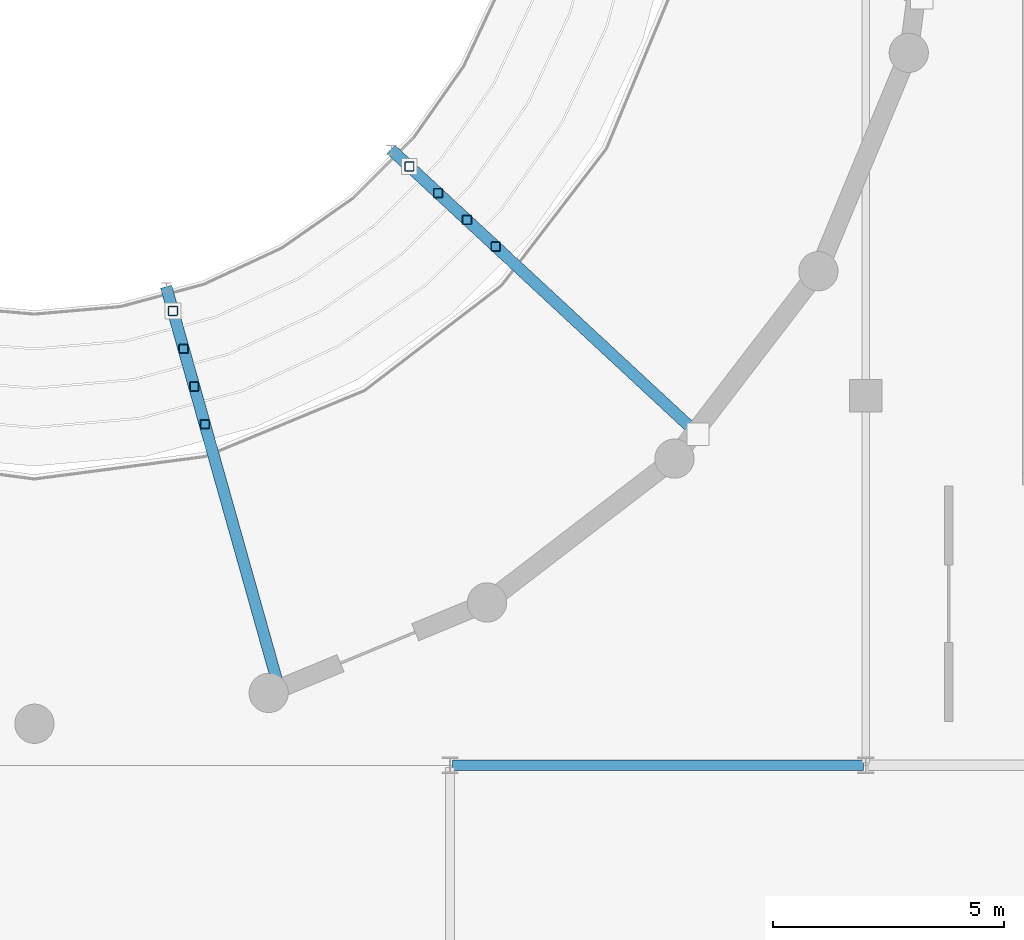
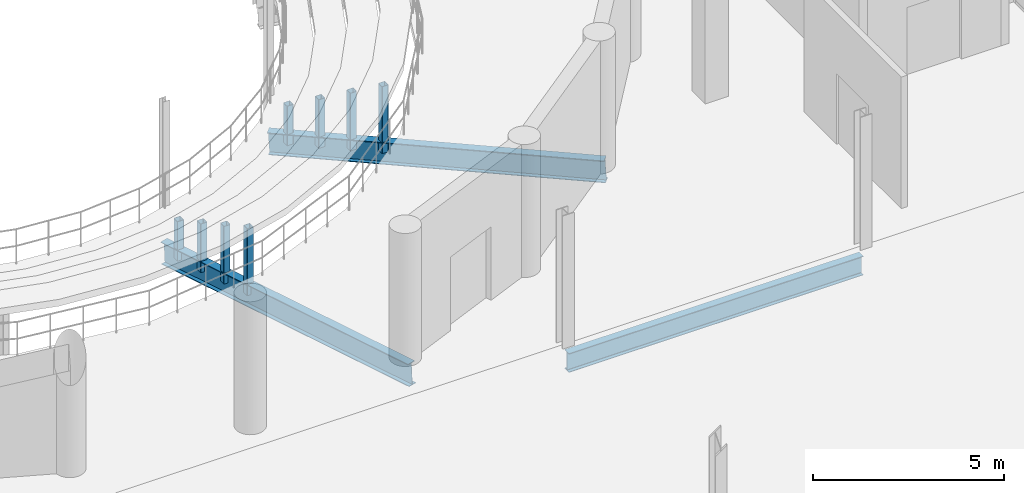
# One storey, part 28 of 73: 8 members, 3 beams.
"""IFC4 building model written with IfcOpenShell, lengths in metres."""

from ifc_helpers import new_model, si_unit, direction, frame, origin, origin_2d, place, context, subcontext, project, spatial, hollow_rectangle, i_section, extrude, material, material_profile, profile_set, type_object, element, save


model = new_model("IFC4")

# Units and contexts
model_context = context("Model", 3, precision=1e-05, world=origin(), true_north=direction((0.0, 1.0)))
body_context = subcontext(model_context, "Body", "Model", "MODEL_VIEW")
ifc_project = project(units=[si_unit("LENGTHUNIT", "METRE"), si_unit("AREAUNIT", "SQUARE_METRE"), si_unit("VOLUMEUNIT", "CUBIC_METRE"), si_unit("PLANEANGLEUNIT", "RADIAN"), si_unit("MASSUNIT", "GRAM", prefix="KILO")], contexts=[model_context])

# Site, building, storey
site_placement = place(None, origin())
site = spatial("IfcSite", under=ifc_project, at=site_placement, CompositionType="ELEMENT")
building_placement = place(site_placement, origin())
building = spatial("IfcBuilding", under=site, at=building_placement, Name="Marnock Terrace Opera House", CompositionType="ELEMENT")
storey_placement = place(building_placement, frame((0.0, 0.0, 14.699951171875)))
storey = spatial("IfcBuildingStorey", under=building, at=storey_placement, Name="L03", CompositionType="ELEMENT", Elevation=14.699951171875)

# Beams
ifc_material_1 = material(Name="Steel Grade 350 (AS/NZS 3679.1)", Category="steel")
ifc_material_profile_1 = material_profile(ifc_material_1, i_section(OverallWidth=0.22802734375, OverallDepth=0.60693359375, WebThickness=0.01123046875, FlangeThickness=0.017333984375, FilletRadius=0.013916015625, at=origin_2d()))
ifc_profile_set_1 = profile_set([ifc_material_profile_1], Name="Steel Grade 350 (AS/NZS 3679.1)")
beam_type_1 = type_object("IfcBeamType", Name="BM-GIRD-610B", PredefinedType="BEAM", material=ifc_profile_set_1)
beam_1_placement = place(storey_placement, frame((91.050048828125, 40.0, -0.5634765625), z_axis=(1.0, 0.0, 0.0), x_axis=(0.0, 1.0, 0.0)))
element("IfcBeam", 1, at=beam_1_placement, inside=storey, type_object=beam_type_1, Name="L03 girder (91.0..100.0, Y=40.0)", PredefinedType="BEAM", context=body_context, shape_type="SweptSolid", body=[
    extrude(i_section(OverallWidth=0.22802734375, OverallDepth=0.60693359375, WebThickness=0.01123046875, FlangeThickness=0.017333984375, FilletRadius=0.013916015625, at=origin_2d()), origin(), (0.0, 0.0, 1.0), 8.89990234375),
])
ifc_material_2 = material(Name="Steel Grade 350 Welded (AS/NZS 3679.2)", Category="steel")
ifc_material_profile_2 = material_profile(ifc_material_2, i_section(OverallWidth=0.25, OverallDepth=0.699951171875, WebThickness=0.011962890625, FlangeThickness=0.02001953125, at=origin_2d()))
ifc_profile_set_2 = profile_set([ifc_material_profile_2], Name="Steel Grade 350 Welded (AS/NZS 3679.2)")
beam_type_2 = type_object("IfcBeamType", Name="BM-RAKER-700", PredefinedType="BEAM", material=ifc_profile_set_2)
beam_2_placement = place(storey_placement, frame((84.857421875, 50.34423828125, -1.159912109375), z_axis=(0.270420407323, -0.961096752439, 0.056265760049), x_axis=(0.962621711454, 0.270849479668, 0.0)))
element("IfcBeam", 2, at=beam_2_placement, inside=storey, type_object=beam_type_2, Name="L03 Auditorium raker girder 5", PredefinedType="BEAM", context=body_context, shape_type="SweptSolid", body=[
    extrude(i_section(OverallWidth=0.25, OverallDepth=0.699951171875, WebThickness=0.011962890625, FlangeThickness=0.02001953125, at=origin_2d()), origin(), (0.0, 0.0, 1.0), 9.064208984375),
])
beam_3_placement = place(storey_placement, frame((89.733642578125, 53.32421875, -1.159912109375), z_axis=(0.73190120059, -0.679083865845, 0.056264871128), x_axis=(0.68016132476, 0.733062461391, 0.0)))
element("IfcBeam", 3, at=beam_3_placement, inside=storey, type_object=beam_type_2, Name="L03 Auditorium raker girder 6", PredefinedType="BEAM", context=body_context, shape_type="SweptSolid", body=[
    extrude(i_section(OverallWidth=0.25, OverallDepth=0.699951171875, WebThickness=0.011962890625, FlangeThickness=0.02001953125, at=origin_2d()), origin(), (0.0, 0.0, 1.0), 9.064453125),
])

# Members
ifc_material_3 = material(Name="Cold-formed Steel Grade C350L0 (AS/NZS 1163)", Category="steel")
ifc_material_profile_3 = material_profile(ifc_material_3, hollow_rectangle(XDim=0.199951171875, YDim=0.199951171875, WallThickness=0.009033203125, InnerFilletRadius=0.009033203125, OuterFilletRadius=0.01806640625, at=origin_2d()))
ifc_profile_set_3 = profile_set([ifc_material_profile_3], Name="Cold-formed Steel Grade C350L0 (AS/NZS 1163)")
member_type = type_object("IfcMemberType", Name="MEM-TRUSS-WEB2", PredefinedType="BRACE", material=ifc_profile_set_3)
member_1_placement = place(storey_placement, frame((84.99951171875, 49.8388671875, -1.13037109375), z_axis=(0.0, 0.0, 1.0), x_axis=(1.0, 0.0, 0.0)))
element("IfcMember", 4, at=member_1_placement, inside=storey, type_object=member_type, Name="L03 Auditorium tier support post 5.1", PredefinedType="BRACE", context=body_context, shape_type="SweptSolid", body=[
    extrude(hollow_rectangle(XDim=0.199951171875, YDim=0.199951171875, WallThickness=0.009033203125, InnerFilletRadius=0.009033203125, OuterFilletRadius=0.01806640625, at=origin_2d()), origin(), (0.0, 0.0, 1.0), 1.260498046875),
])
member_2_placement = place(storey_placement, frame((85.229736328125, 49.020751953125, -1.08251953125), z_axis=(0.0, 0.0, 1.0), x_axis=(1.0, 0.0, 0.0)))
element("IfcMember", 5, at=member_2_placement, inside=storey, type_object=member_type, Name="L03 Auditorium tier support post 5.2", PredefinedType="BRACE", context=body_context, shape_type="SweptSolid", body=[
    extrude(hollow_rectangle(XDim=0.199951171875, YDim=0.199951171875, WallThickness=0.009033203125, InnerFilletRadius=0.009033203125, OuterFilletRadius=0.01806640625, at=origin_2d()), origin(), (0.0, 0.0, 1.0), 1.552490234375),
])
member_3_placement = place(storey_placement, frame((85.4599609375, 48.202392578125, -1.03466796875), z_axis=(0.0, 0.0, 1.0), x_axis=(1.0, 0.0, 0.0)))
element("IfcMember", 6, at=member_3_placement, inside=storey, type_object=member_type, Name="L03 Auditorium tier support post 5.3", PredefinedType="BRACE", context=body_context, shape_type="SweptSolid", body=[
    extrude(hollow_rectangle(XDim=0.199951171875, YDim=0.199951171875, WallThickness=0.009033203125, InnerFilletRadius=0.009033203125, OuterFilletRadius=0.01806640625, at=origin_2d()), origin(), (0.0, 0.0, 1.0), 1.8447265625),
])
member_4_placement = place(storey_placement, frame((85.690185546875, 47.38427734375, -0.986572265625), z_axis=(0.0, 0.0, 1.0), x_axis=(1.0, 0.0, 0.0)))
element("IfcMember", 7, at=member_4_placement, inside=storey, type_object=member_type, Name="L03 Auditorium tier support post 5.4", PredefinedType="BRACE", context=body_context, shape_type="SweptSolid", body=[
    extrude(hollow_rectangle(XDim=0.199951171875, YDim=0.199951171875, WallThickness=0.009033203125, InnerFilletRadius=0.009033203125, OuterFilletRadius=0.01806640625, at=origin_2d()), origin(), (0.0, 0.0, 1.0), 2.13671875),
])
member_5_placement = place(storey_placement, frame((90.118408203125, 52.967041015625, -1.13037109375), z_axis=(0.0, 0.0, 1.0), x_axis=(1.0, 0.0, 0.0)))
element("IfcMember", 8, at=member_5_placement, inside=storey, type_object=member_type, Name="L03 Auditorium tier support post 6.1", PredefinedType="BRACE", context=body_context, shape_type="SweptSolid", body=[
    extrude(hollow_rectangle(XDim=0.199951171875, YDim=0.199951171875, WallThickness=0.009033203125, InnerFilletRadius=0.009033203125, OuterFilletRadius=0.01806640625, at=origin_2d()), origin(), (0.0, 0.0, 1.0), 1.260498046875),
])
member_6_placement = place(storey_placement, frame((90.74169921875, 52.388916015625, -1.08251953125), z_axis=(0.0, 0.0, 1.0), x_axis=(1.0, 0.0, 0.0)))
element("IfcMember", 9, at=member_6_placement, inside=storey, type_object=member_type, Name="L03 Auditorium tier support post 6.2", PredefinedType="BRACE", context=body_context, shape_type="SweptSolid", body=[
    extrude(hollow_rectangle(XDim=0.199951171875, YDim=0.199951171875, WallThickness=0.009033203125, InnerFilletRadius=0.009033203125, OuterFilletRadius=0.01806640625, at=origin_2d()), origin(), (0.0, 0.0, 1.0), 1.552490234375),
])
member_7_placement = place(storey_placement, frame((91.36474609375, 51.810791015625, -1.03466796875), z_axis=(0.0, 0.0, 1.0), x_axis=(1.0, 0.0, 0.0)))
element("IfcMember", 10, at=member_7_placement, inside=storey, type_object=member_type, Name="L03 Auditorium tier support post 6.3", PredefinedType="BRACE", context=body_context, shape_type="SweptSolid", body=[
    extrude(hollow_rectangle(XDim=0.199951171875, YDim=0.199951171875, WallThickness=0.009033203125, InnerFilletRadius=0.009033203125, OuterFilletRadius=0.01806640625, at=origin_2d()), origin(), (0.0, 0.0, 1.0), 1.8447265625),
])
member_8_placement = place(storey_placement, frame((91.98779296875, 51.232666015625, -0.986572265625), z_axis=(0.0, 0.0, 1.0), x_axis=(1.0, 0.0, 0.0)))
element("IfcMember", 11, at=member_8_placement, inside=storey, type_object=member_type, Name="L03 Auditorium tier support post 6.4", PredefinedType="BRACE", context=body_context, shape_type="SweptSolid", body=[
    extrude(hollow_rectangle(XDim=0.199951171875, YDim=0.199951171875, WallThickness=0.009033203125, InnerFilletRadius=0.009033203125, OuterFilletRadius=0.01806640625, at=origin_2d()), origin(), (0.0, 0.0, 1.0), 2.13671875),
])

save(model, "model.ifc")
